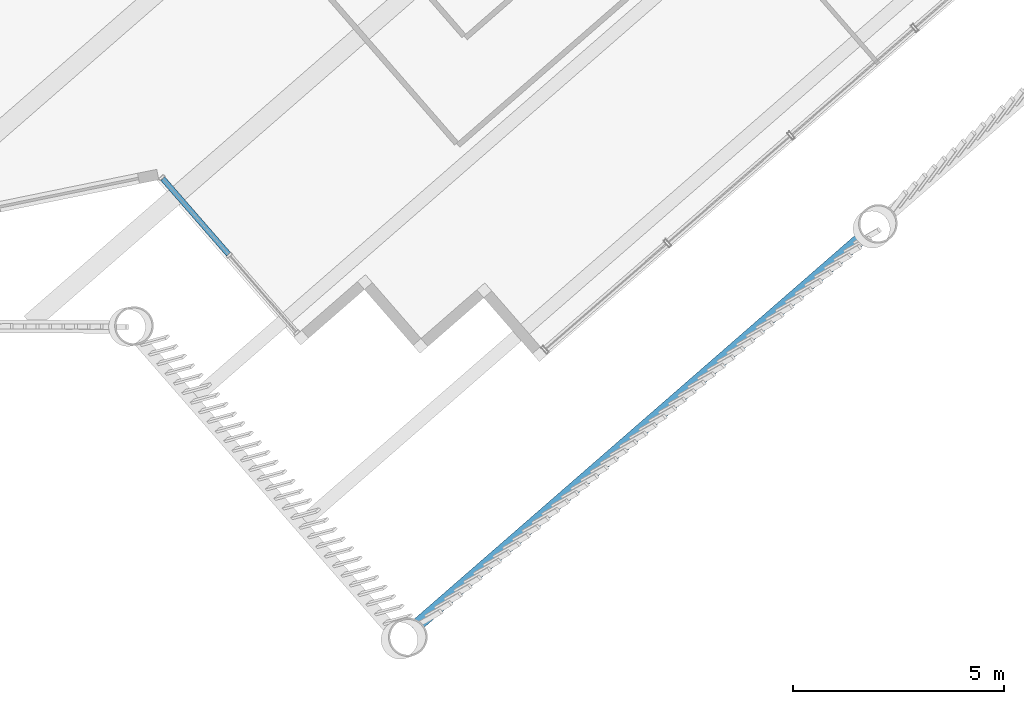
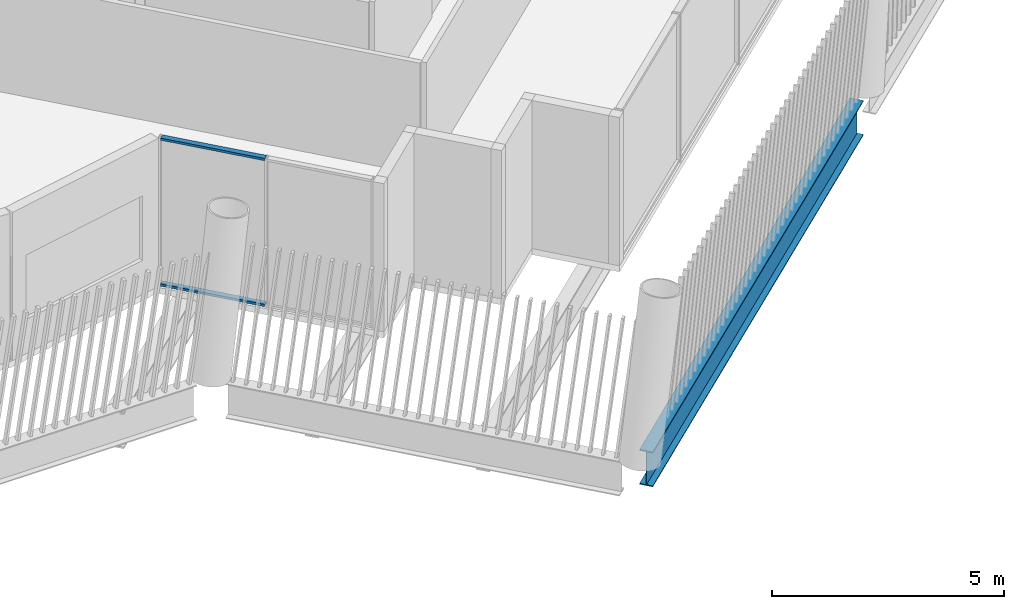
# One storey, part 9 of 28: 2 members, 1 beam, 1 element without a shape of its own.
"""IFC4 building model written with IfcOpenShell, lengths in metres."""

from ifc_helpers import new_model, si_unit, direction, frame, origin, origin_2d, place, context, subcontext, project, spatial, hollow_rectangle, i_section, extrude, material, layer, layer_set, material_profile, profile_set, type_object, element, aggregate, save


model = new_model("IFC4")

# Units and contexts
model_context = context("Model", 3, precision=1e-05, world=origin(), true_north=direction((0.0, 1.0)))
body_context = subcontext(model_context, "Body", "Model", "MODEL_VIEW")
ifc_project = project(units=[si_unit("LENGTHUNIT", "METRE"), si_unit("AREAUNIT", "SQUARE_METRE"), si_unit("VOLUMEUNIT", "CUBIC_METRE"), si_unit("PLANEANGLEUNIT", "RADIAN"), si_unit("MASSUNIT", "GRAM", prefix="KILO")], contexts=[model_context])

# Site, building, storey
site_placement = place(None, origin())
site = spatial("IfcSite", under=ifc_project, at=site_placement, CompositionType="ELEMENT")
building_placement = place(site_placement, origin())
building = spatial("IfcBuilding", under=site, at=building_placement, Name="Tarsis Ring Headquarters", CompositionType="ELEMENT")
storey_placement = place(building_placement, frame((0.0, 0.0, 394.39990234375)))
storey = spatial("IfcBuildingStorey", under=building, at=storey_placement, Name="L93", CompositionType="ELEMENT", Elevation=394.39990234375)

# Curtain wall, members
ifc_material_1 = material(Name="Aluminium curtain wall", Category="aluminium")
ifc_layer = layer(ifc_material_1, 0.14990234375)
ifc_layer_set = layer_set([ifc_layer], Name="Curtain wall tower unit")
curtain_wall_type = type_object("IfcCurtainWallType", Name="Curtain wall tower unit", PredefinedType="NOTDEFINED", material=ifc_layer_set)
curtain_wall_placement = place(storey_placement, origin())
curtain_wall = element("IfcCurtainWall", 1, at=curtain_wall_placement, inside=storey, type_object=curtain_wall_type, Name="Curtain wall L93-06", PredefinedType="NOTDEFINED")
ifc_material_2 = material(Name="Aluminium transom", Category="aluminium")
ifc_material_profile_1 = material_profile(ifc_material_2, hollow_rectangle(XDim=0.1298828125, YDim=0.06005859375, WallThickness=0.0048828125, at=origin_2d()), Name="RHS 130x60x5")
ifc_profile_set_1 = profile_set([ifc_material_profile_1], Name="Aluminium transom")
member_type = type_object("IfcMemberType", Name="Curtain wall transom tower unit RHS 130x60x5", PredefinedType="USERDEFINED", material=ifc_profile_set_1)
member_1_placement = place(storey_placement, frame((6.0712890625, -25.060302734375, 0.030029296875), z_axis=(0.656555941987, -0.754277332976, 0.0), x_axis=(0.754277332976, 0.656555941987, 0.0)))
member_1 = element("IfcMember", 2, at=member_1_placement, type_object=member_type, Name="CW-T transom 1.1", ObjectType="TRANSOM", PredefinedType="USERDEFINED", context=body_context, shape_type="SweptSolid", body=[
    extrude(hollow_rectangle(XDim=0.1298828125, YDim=0.06005859375, WallThickness=0.0048828125, at=origin_2d()), origin(), (0.0, 0.0, 1.0), 2.370849609375),
])
member_2_placement = place(storey_placement, frame((6.0712890625, -25.060302734375, 3.8701171875), z_axis=(0.656555941987, -0.754277332976, 0.0), x_axis=(0.754277332976, 0.656555941987, 0.0)))
member_2 = element("IfcMember", 3, at=member_2_placement, type_object=member_type, Name="CW-T transom 1.2", ObjectType="TRANSOM", PredefinedType="USERDEFINED", context=body_context, shape_type="SweptSolid", body=[
    extrude(hollow_rectangle(XDim=0.1298828125, YDim=0.06005859375, WallThickness=0.0048828125, at=origin_2d()), origin(), (0.0, 0.0, 1.0), 2.370849609375),
])
aggregate(curtain_wall, [member_1, member_2])

# Beam
ifc_material_3 = material(Name="Structural steel S355", Category="steel")
ifc_material_profile_2 = material_profile(ifc_material_3, i_section(OverallWidth=0.3046875, OverallDepth=0.91943359375, WebThickness=0.017333984375, FlangeThickness=0.02783203125, at=origin_2d()), Name="W36x170")
ifc_profile_set_2 = profile_set([ifc_material_profile_2], Name="Structural steel S355")
beam_type = type_object("IfcBeamType", Name="XG Ring girder W36x170", PredefinedType="BEAM", material=ifc_profile_set_2)
beam_placement = place(storey_placement, frame((11.99658203125, -35.6953125, -0.459716796875), z_axis=(0.754248170845, 0.65658944309, 0.0), x_axis=(-0.65658944309, 0.754248170845, 0.0)))
element("IfcBeam", 4, at=beam_placement, inside=storey, type_object=beam_type, Name="Ring girder XG4", PredefinedType="BEAM", context=body_context, shape_type="SweptSolid", body=[
    extrude(i_section(OverallWidth=0.3046875, OverallDepth=0.91943359375, WebThickness=0.017333984375, FlangeThickness=0.02783203125, at=origin_2d()), origin(), (0.0, 0.0, 1.0), 13.97705078125),
])

save(model, "model.ifc")
